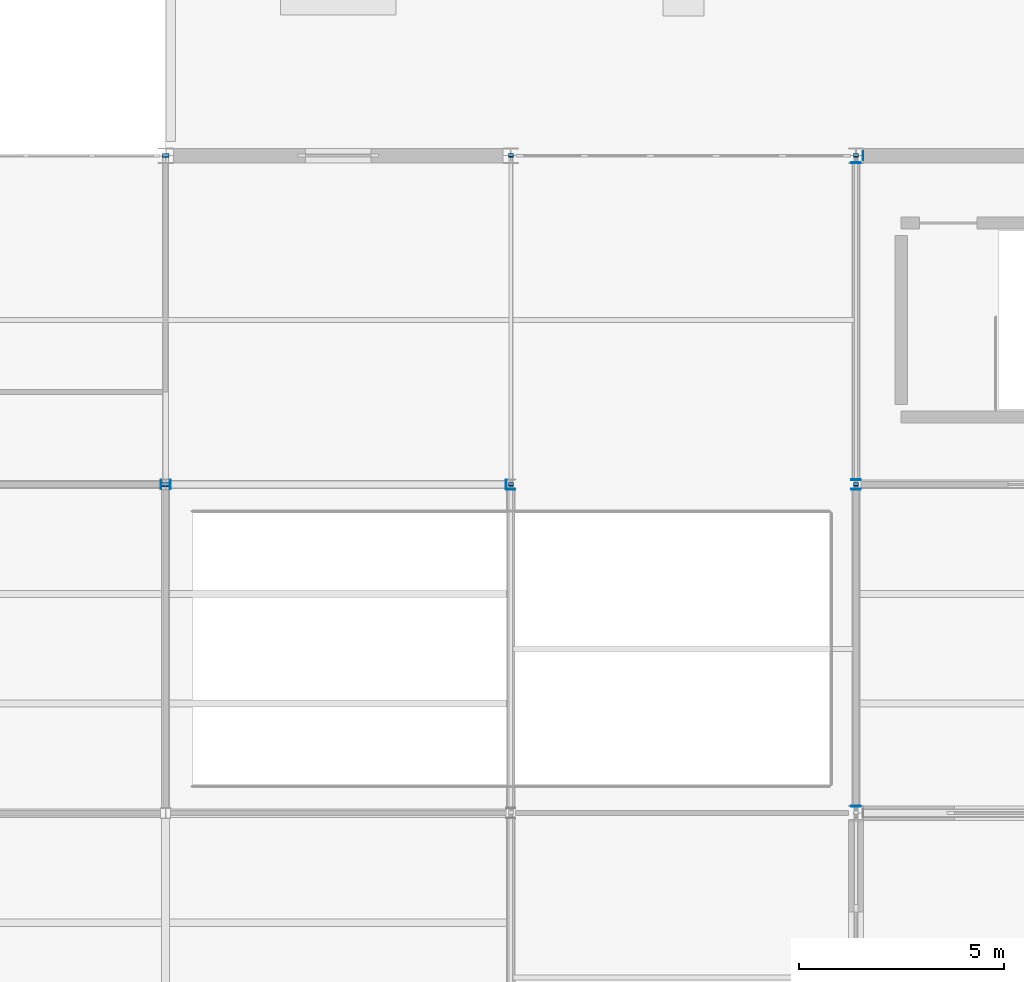
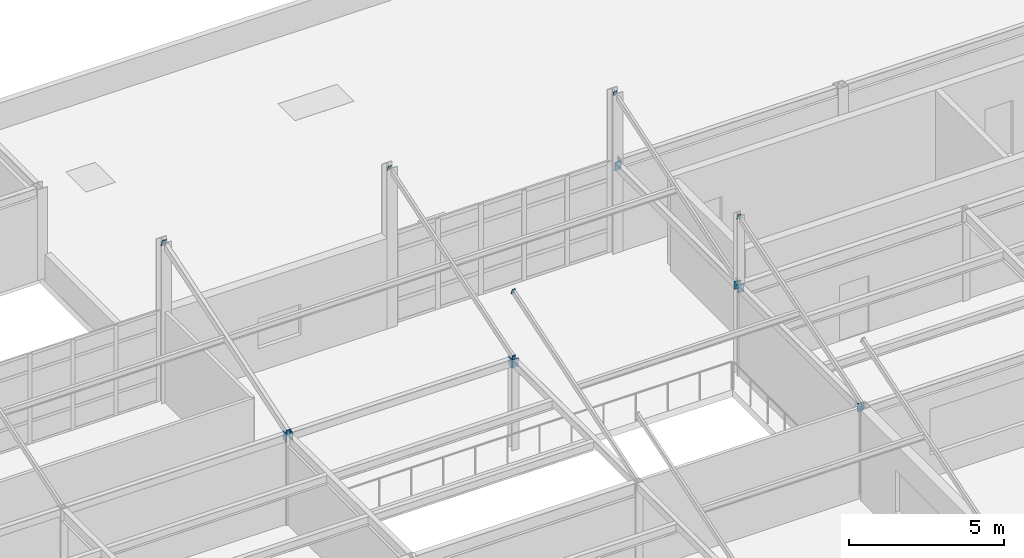
# One storey, part 62 of 96: 17 discrete accessories.
"""IFC4 building model written with IfcOpenShell, lengths in metres."""

import ifcopenshell
import ifcopenshell.guid

model = None  # the IFC model being written
_history = None  # IfcOwnerHistory: only IFC2X3 demands one
_inside = {}  # id of a spatial element -> (the spatial element, [elements in it])
_under = {}  # id of a project, library or spatial element -> (it, [spatial elements below it])
_declared = {}  # id of a project -> (the project, [libraries it declares])
_typed = {}  # id of a type object -> (the type object, [elements of that type])
_made_of = {}  # id of a material, layer set ... -> (it, [elements and type objects made of it])


def new_model(schema):
    """Start an empty IFC model of exactly this schema.

    Asked for "IFC4X3", IfcOpenShell would pick the latest addendum, in which some entities
    have other attributes; the version numbers below select the first issue.
    IFC2X3 requires an IfcOwnerHistory on every rooted entity: one is made here for all.
    """
    global model, _history
    if schema == "IFC4X3":
        model = ifcopenshell.file(schema_version=(4, 3, 0, 0))
    else:
        model = ifcopenshell.file(schema=schema)
    _inside.clear()
    _under.clear()
    _declared.clear()
    _typed.clear()
    _made_of.clear()
    _history = None
    if model.schema == "IFC2X3":
        org = make("IfcOrganization", Name="unknown")
        user = make(
            "IfcPersonAndOrganization",
            ThePerson=make("IfcPerson", FamilyName="unknown"),
            TheOrganization=org,
        )
        app = make(
            "IfcApplication",
            ApplicationDeveloper=org,
            Version="unknown",
            ApplicationFullName="unknown",
            ApplicationIdentifier="unknown",
        )
        _history = make(
            "IfcOwnerHistory",
            OwningUser=user,
            OwningApplication=app,
            ChangeAction="ADDED",
            CreationDate=0,
        )
    return model


def make(cls, **values):
    """One entity of the class cls with the attributes given. An attribute that is None is left unset."""
    return model.create_entity(
        cls, **{name: value for name, value in values.items() if value is not None}
    )


def rooted(cls, **values):
    """An entity with a GlobalId (a new one), such as an element, a storey or a relation."""
    return make(cls, GlobalId=ifcopenshell.guid.new(), OwnerHistory=_history, **values)


def si_unit(unit_type, name, prefix=None):
    """IfcSIUnit, for example si_unit("LENGTHUNIT", "METRE", prefix="MILLI")."""
    return make("IfcSIUnit", UnitType=unit_type, Prefix=prefix, Name=name)


def assignment(units):
    """IfcUnitAssignment: the units of a project."""
    return None if units is None else make("IfcUnitAssignment", Units=units)


def point(xyz):
    """IfcCartesianPoint."""
    return None if xyz is None else make("IfcCartesianPoint", Coordinates=xyz)


def direction(xyz):
    """IfcDirection."""
    return None if xyz is None else make("IfcDirection", DirectionRatios=xyz)


def frame(location, z_axis=None, x_axis=None):
    """IfcAxis2Placement3D, a coordinate frame: its origin and axes. An axis left out is left unset."""
    return make(
        "IfcAxis2Placement3D",
        Location=point(location),
        Axis=direction(z_axis),
        RefDirection=direction(x_axis),
    )


def frame_2d(location, x_axis=None):
    """IfcAxis2Placement2D, a coordinate frame in the plane: its origin and x axis."""
    return make(
        "IfcAxis2Placement2D", Location=point(location), RefDirection=direction(x_axis)
    )


def origin():
    """The frame at (0, 0, 0) with its axes left unset."""
    return frame((0.0, 0.0, 0.0))


def origin_2d():
    """The frame at (0, 0) in the plane with its x axis left unset."""
    return frame_2d((0.0, 0.0))


def place(relative_to, where):
    """IfcLocalPlacement: puts the frame where relative to a parent placement (None: the world)."""
    return make(
        "IfcLocalPlacement", PlacementRelTo=relative_to, RelativePlacement=where
    )


def context(
    kind, dimensions, precision=None, world=None, true_north=None, identifier=None
):
    """IfcGeometricRepresentationContext, for example the 3D "Model" context."""
    return make(
        "IfcGeometricRepresentationContext",
        ContextIdentifier=identifier,
        ContextType=kind,
        CoordinateSpaceDimension=dimensions,
        Precision=precision,
        WorldCoordinateSystem=world,
        TrueNorth=true_north,
    )


def subcontext(parent, identifier, kind, view, scale=None):
    """IfcGeometricRepresentationSubContext, for example "Body" below "Model"."""
    return make(
        "IfcGeometricRepresentationSubContext",
        ContextIdentifier=identifier,
        ContextType=kind,
        ParentContext=parent,
        TargetScale=scale,
        TargetView=view,
    )


def project(units=None, contexts=None):
    """IfcProject with its units and contexts."""
    return rooted(
        "IfcProject",
        Name="project",
        RepresentationContexts=contexts,
        UnitsInContext=assignment(units),
    )


def spatial(cls, under=None, at=None, **own):
    """A site, building, storey or space (cls), placed at a placement, below another one or the project."""
    s = rooted(cls, ObjectPlacement=at, **own)
    if under is not None:
        _under.setdefault(under.id(), (under, []))[1].append(s)
    return s


def profile(cls, at=None, kind="AREA", **sizes):
    """A parametric profile (cls). Its sizes go by their IFC names, for example OverallWidth=200.0."""
    return make(cls, ProfileType=kind, Position=at, **sizes)


def rectangle(**sizes):
    """IfcRectangleProfileDef."""
    return profile("IfcRectangleProfileDef", **sizes)


def extrude(swept, where, along, depth):
    """IfcExtrudedAreaSolid: the profile swept, set in the frame where, extruded along a direction by depth."""
    return make(
        "IfcExtrudedAreaSolid",
        SweptArea=swept,
        Position=where,
        ExtrudedDirection=direction(along),
        Depth=depth,
    )


def shape(context_of_items, identifier, shape_type, items):
    """IfcShapeRepresentation: the items that make up one representation, for example the "Body"."""
    return make(
        "IfcShapeRepresentation",
        ContextOfItems=context_of_items,
        RepresentationIdentifier=identifier,
        RepresentationType=shape_type,
        Items=items,
    )


def material(Name=None, Category=None):
    """IfcMaterial."""
    return make("IfcMaterial", Name=Name, Category=Category)


def layer(
    of_material, thickness, ventilated=None, Name=None, Category=None, Priority=None
):
    """IfcMaterialLayer: one layer of a wall or slab, of a material (None: an air gap)."""
    return make(
        "IfcMaterialLayer",
        Material=of_material,
        LayerThickness=thickness,
        IsVentilated=ventilated,
        Name=Name,
        Category=Category,
        Priority=Priority,
    )


def layer_set(layers, Name=None):
    """IfcMaterialLayerSet."""
    return make("IfcMaterialLayerSet", MaterialLayers=layers, LayerSetName=Name)


def made_of(thing, what):
    """Note that an element or type object is made of a material, layer set ...; save() writes the relation."""
    if what is not None:
        _made_of.setdefault(what.id(), (what, []))[1].append(thing)
    return thing


def type_object(cls, material=None, **own):
    """A type object (cls), such as IfcWallType, which elements share."""
    return made_of(rooted(cls, **own), material)


def element(
    cls,
    number,
    at=None,
    inside=None,
    cuts=None,
    type_object=None,
    material=None,
    context=None,
    identifier="Body",
    shape_type=None,
    held_by="IfcProductDefinitionShape",
    body=None,
    shapes=None,
    **own,
):
    """One element of the class cls, such as IfcWall. Its Tag is "e" and its number.

    at: its placement. inside: the storey or other place that contains it. cuts: it is an
    opening in that element (IfcRelVoidsElement). A single representation is given by context,
    identifier, shape_type and body (its items); several are given by shapes. held_by: the class
    of the entity that holds the representations. save() writes the other relations.
    """
    e = rooted(cls, Tag="e%d" % number, ObjectPlacement=at, **own)
    if body is not None:
        shapes = [shape(context, identifier, shape_type, body)]
    if shapes is not None:
        e.Representation = make(held_by, Representations=shapes)
    if inside is not None:
        _inside.setdefault(inside.id(), (inside, []))[1].append(e)
    if cuts is not None:
        rooted(
            "IfcRelVoidsElement", RelatingBuildingElement=cuts, RelatedOpeningElement=e
        )
    if type_object is not None:
        _typed.setdefault(type_object.id(), (type_object, []))[1].append(e)
    return made_of(e, material)


def aggregate(whole, parts):
    """IfcRelAggregates: a whole, such as a stair, and the parts it consists of."""
    return rooted("IfcRelAggregates", RelatingObject=whole, RelatedObjects=parts)


def save(model, path):
    """Write the relations noted so far, then the file.

    IfcRelAggregates (storeys below a building ...), IfcRelContainedInSpatialStructure (elements
    in a storey), IfcRelDefinesByType, IfcRelAssociatesMaterial and IfcRelDeclares: one each for
    every whole, place, type object, material and project.
    """
    for whole, parts in _under.values():
        aggregate(whole, parts)
    for where, things in _inside.values():
        rooted(
            "IfcRelContainedInSpatialStructure",
            RelatedElements=things,
            RelatingStructure=where,
        )
    for kind, things in _typed.values():
        rooted("IfcRelDefinesByType", RelatedObjects=things, RelatingType=kind)
    for what, things in _made_of.values():
        rooted("IfcRelAssociatesMaterial", RelatedObjects=things, RelatingMaterial=what)
    for by, libraries in _declared.values():
        rooted("IfcRelDeclares", RelatingContext=by, RelatedDefinitions=libraries)
    model.write(path)


model = new_model("IFC4")

# Units and contexts
model_context = context("Model", 3, precision=1e-05, world=origin(), true_north=direction((0.0, 1.0)))
body_context = subcontext(model_context, "Body", "Model", "MODEL_VIEW")
ifc_project = project(units=[si_unit("LENGTHUNIT", "METRE"), si_unit("AREAUNIT", "SQUARE_METRE"), si_unit("VOLUMEUNIT", "CUBIC_METRE"), si_unit("PLANEANGLEUNIT", "RADIAN"), si_unit("MASSUNIT", "GRAM", prefix="KILO")], contexts=[model_context])

# Site, building, storey
site_placement = place(None, origin())
site = spatial("IfcSite", under=ifc_project, at=site_placement, CompositionType="ELEMENT")
building_placement = place(site_placement, origin())
building = spatial("IfcBuilding", under=site, at=building_placement, Name="Kranzveld Transit Interchange", CompositionType="ELEMENT")
storey_placement = place(building_placement, frame((0.0, 0.0, 9.52001953125)))
storey = spatial("IfcBuildingStorey", under=building, at=storey_placement, Name="L02", CompositionType="ELEMENT", Elevation=9.52001953125)

# Discrete accessories
ifc_material = material(Name="Steel S355JR", Category="steel")
ifc_layer = layer(ifc_material, 0.02001953125)
ifc_layer_set = layer_set([ifc_layer], Name="Steel S355JR")
discrete_accessory_type = type_object("IfcDiscreteAccessoryType", Name="Hollow Section End Cap Bracket 20 S355JR", PredefinedType="BRACKET", material=ifc_layer_set)
for number, where, z_axis, x_axis, name in (
    (1, (33.4765625, 32.0, 3.419921875), (1.0, 0.0, 0.0), (0.0, 1.0, 0.0), "Hollow Section End Cap SP-RHS300-2"),
    (2, (33.723388671875, 32.0, 3.419921875), (-1.0, 0.0, 0.0), (0.0, -1.0, 0.0), "Hollow Section End Cap SP-RHS300-1"),
):
    element("IfcDiscreteAccessory", number, at=place(storey_placement, frame(where, z_axis=z_axis, x_axis=x_axis)), inside=storey, type_object=discrete_accessory_type, Name=name, PredefinedType="BRACKET", context=body_context, shape_type="SweptSolid", body=[
        extrude(rectangle(XDim=0.22412109375, YDim=0.323974609375, at=origin_2d()), origin(), (0.0, 0.0, 1.0), 0.02001953125),
    ])
discrete_accessory_placement = place(storey_placement, frame((41.876708984375, 32.0, 3.419921875), z_axis=(1.0, 0.0, 0.0), x_axis=(0.0, 1.0, 0.0)))
element("IfcDiscreteAccessory", 3, at=discrete_accessory_placement, inside=storey, type_object=discrete_accessory_type, Name="Hollow Section End Cap SP-RHS300-2", PredefinedType="BRACKET", context=body_context, shape_type="SweptSolid", body=[
    extrude(rectangle(XDim=0.22412109375, YDim=0.323974609375, at=origin_2d()), origin(), (0.0, 0.0, 1.0), 0.019775390625),
])
for number, where, z_axis, x_axis, name in (
    (4, (50.581298828125, 40.0, 3.419921875), (-1.0, 0.0, 0.0), (0.0, -1.0, 0.0), "Hollow Section End Cap SP-RHS300-1"),
    (5, (42.0, 31.87255859375, 3.419921875), (0.0, 1.0, 0.0), (-1.0, 0.0, 0.0), "Hollow Section End Cap SP-RHS300-2"),
    (6, (50.39990234375, 24.181396484375, 3.419921875), (0.0, -1.0, 0.0), (1.0, 0.0, 0.0), "Hollow Section End Cap SP-RHS300-1"),
    (7, (50.39990234375, 31.87255859375, 3.419921875), (0.0, 1.0, 0.0), (-1.0, 0.0, 0.0), "Hollow Section End Cap SP-RHS300-2"),
    (8, (50.39990234375, 32.12744140625, 3.419921875), (0.0, -1.0, 0.0), (1.0, 0.0, 0.0), "Hollow Section End Cap SP-RHS300-1"),
    (9, (50.39990234375, 39.818603515625, 3.419921875), (0.0, 1.0, 0.0), (-1.0, 0.0, 0.0), "Hollow Section End Cap SP-RHS300-2"),
):
    element("IfcDiscreteAccessory", number, at=place(storey_placement, frame(where, z_axis=z_axis, x_axis=x_axis)), inside=storey, type_object=discrete_accessory_type, Name=name, PredefinedType="BRACKET", context=body_context, shape_type="SweptSolid", body=[
        extrude(rectangle(XDim=0.22412109375, YDim=0.323974609375, at=origin_2d()), origin(), (0.0, 0.0, 1.0), 0.02001953125),
    ])
for number, where, z_axis, x_axis, name in (
    (10, (33.60009765625, 32.00390625, 3.561279296875), (0.0, -0.948683298051, -0.316227766017), (1.0, 0.0, 0.0), "Hollow Section End Cap CH-RHS250-1"),
    (11, (33.60009765625, 39.99609375, 6.15869140625), (0.0, 0.948683298051, 0.316227766017), (-1.0, 0.0, 0.0), "Hollow Section End Cap CH-RHS250-2"),
):
    element("IfcDiscreteAccessory", number, at=place(storey_placement, frame(where, z_axis=z_axis, x_axis=x_axis)), inside=storey, type_object=discrete_accessory_type, Name=name, PredefinedType="BRACKET", context=body_context, shape_type="SweptSolid", body=[
        extrude(rectangle(XDim=0.174072265625, YDim=0.27392578125, at=origin_2d()), origin(), (0.0, 0.0, 1.0), 0.02001953125),
    ])
for number, where, z_axis, x_axis, name in (
    (12, (42.0, 31.99609375, 6.15869140625), (0.0, 0.948683298051, 0.316227766017), (-1.0, 0.0, 0.0), "Hollow Section End Cap CH-RHS200-2"),
    (13, (50.39990234375, 31.99609375, 6.15869140625), (0.0, 0.948683298051, 0.316227766017), (-1.0, 0.0, 0.0), "Hollow Section End Cap CH-RHS200-2"),
    (14, (42.0, 32.00390625, 3.561279296875), (0.0, -0.948683298051, -0.316227766017), (1.0, 0.0, 0.0), "Hollow Section End Cap CH-RHS200-1"),
    (15, (42.0, 39.99609375, 6.15869140625), (0.0, 0.948683298051, 0.316227766017), (-1.0, 0.0, 0.0), "Hollow Section End Cap CH-RHS200-2"),
    (16, (50.39990234375, 32.00390625, 3.561279296875), (0.0, -0.948683298051, -0.316227766017), (1.0, 0.0, 0.0), "Hollow Section End Cap CH-RHS200-1"),
    (17, (50.39990234375, 39.99609375, 6.15869140625), (0.0, 0.948683298051, 0.316227766017), (-1.0, 0.0, 0.0), "Hollow Section End Cap CH-RHS200-2"),
):
    element("IfcDiscreteAccessory", number, at=place(storey_placement, frame(where, z_axis=z_axis, x_axis=x_axis)), inside=storey, type_object=discrete_accessory_type, Name=name, PredefinedType="BRACKET", context=body_context, shape_type="SweptSolid", body=[
        extrude(rectangle(XDim=0.1240234375, YDim=0.22412109375, at=origin_2d()), origin(), (0.0, 0.0, 1.0), 0.02001953125),
    ])

save(model, "model.ifc")
